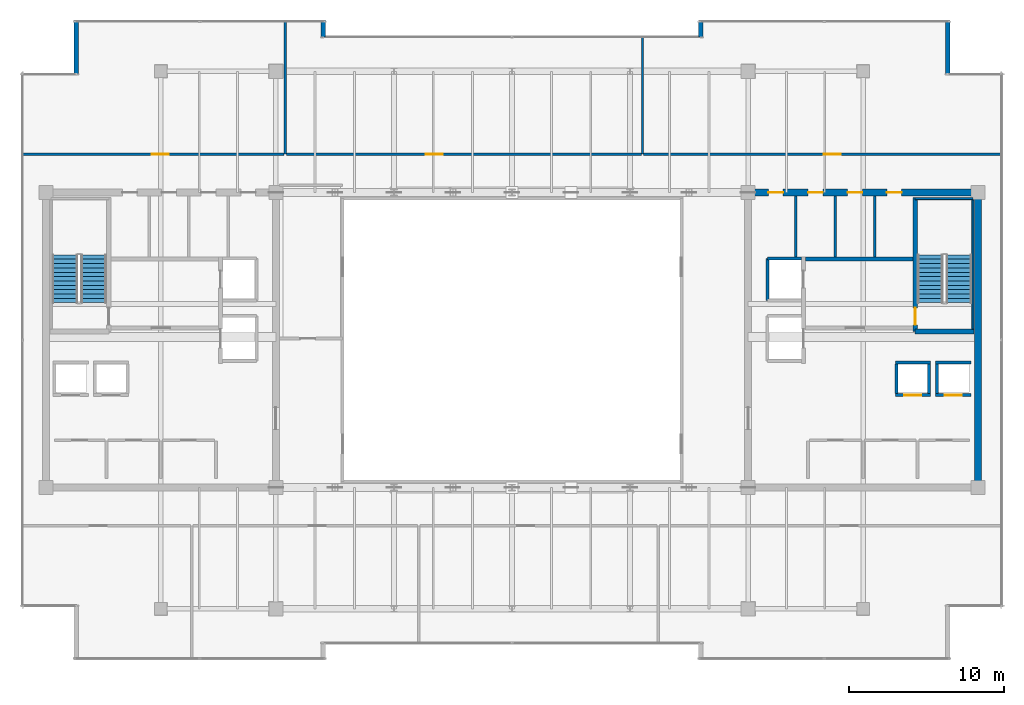
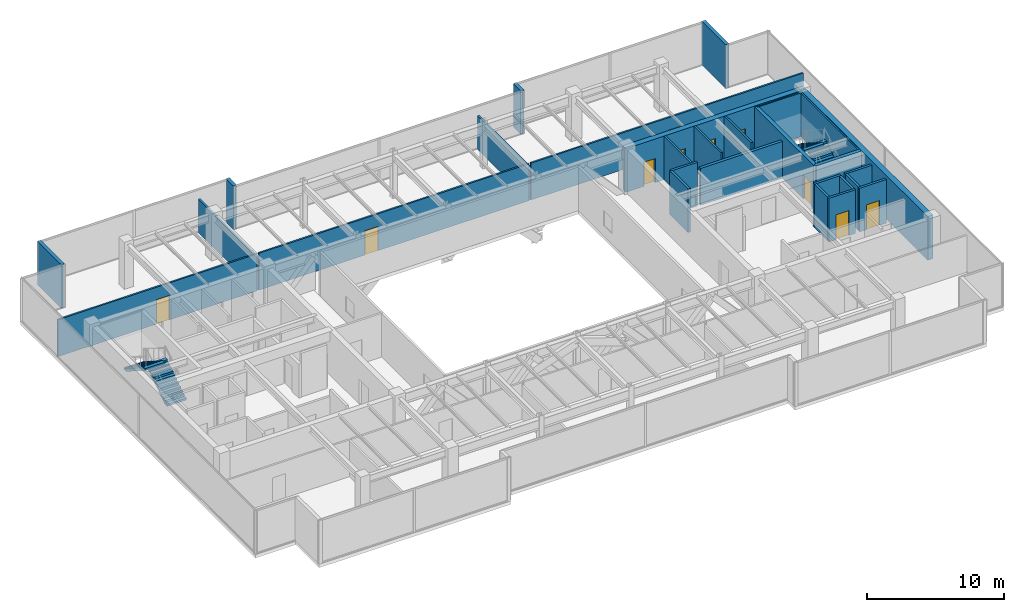
# One storey, part 28 of 32: 28 walls, 10 doors, 4 stair flights, 10 openings, 2 elements without a shape of their own.
"""IFC4 building model written with IfcOpenShell, lengths in metres."""

import ifcopenshell
import ifcopenshell.guid

model = None  # the IFC model being written
_history = None  # IfcOwnerHistory: only IFC2X3 demands one
_inside = {}  # id of a spatial element -> (the spatial element, [elements in it])
_under = {}  # id of a project, library or spatial element -> (it, [spatial elements below it])
_declared = {}  # id of a project -> (the project, [libraries it declares])
_typed = {}  # id of a type object -> (the type object, [elements of that type])
_made_of = {}  # id of a material, layer set ... -> (it, [elements and type objects made of it])


def new_model(schema):
    """Start an empty IFC model of exactly this schema.

    Asked for "IFC4X3", IfcOpenShell would pick the latest addendum, in which some entities
    have other attributes; the version numbers below select the first issue.
    IFC2X3 requires an IfcOwnerHistory on every rooted entity: one is made here for all.
    """
    global model, _history
    if schema == "IFC4X3":
        model = ifcopenshell.file(schema_version=(4, 3, 0, 0))
    else:
        model = ifcopenshell.file(schema=schema)
    _inside.clear()
    _under.clear()
    _declared.clear()
    _typed.clear()
    _made_of.clear()
    _history = None
    if model.schema == "IFC2X3":
        org = make("IfcOrganization", Name="unknown")
        user = make(
            "IfcPersonAndOrganization",
            ThePerson=make("IfcPerson", FamilyName="unknown"),
            TheOrganization=org,
        )
        app = make(
            "IfcApplication",
            ApplicationDeveloper=org,
            Version="unknown",
            ApplicationFullName="unknown",
            ApplicationIdentifier="unknown",
        )
        _history = make(
            "IfcOwnerHistory",
            OwningUser=user,
            OwningApplication=app,
            ChangeAction="ADDED",
            CreationDate=0,
        )
    return model


def make(cls, **values):
    """One entity of the class cls with the attributes given. An attribute that is None is left unset."""
    return model.create_entity(
        cls, **{name: value for name, value in values.items() if value is not None}
    )


def rooted(cls, **values):
    """An entity with a GlobalId (a new one), such as an element, a storey or a relation."""
    return make(cls, GlobalId=ifcopenshell.guid.new(), OwnerHistory=_history, **values)


def si_unit(unit_type, name, prefix=None):
    """IfcSIUnit, for example si_unit("LENGTHUNIT", "METRE", prefix="MILLI")."""
    return make("IfcSIUnit", UnitType=unit_type, Prefix=prefix, Name=name)


def assignment(units):
    """IfcUnitAssignment: the units of a project."""
    return None if units is None else make("IfcUnitAssignment", Units=units)


def point(xyz):
    """IfcCartesianPoint."""
    return None if xyz is None else make("IfcCartesianPoint", Coordinates=xyz)


def direction(xyz):
    """IfcDirection."""
    return None if xyz is None else make("IfcDirection", DirectionRatios=xyz)


def frame(location, z_axis=None, x_axis=None):
    """IfcAxis2Placement3D, a coordinate frame: its origin and axes. An axis left out is left unset."""
    return make(
        "IfcAxis2Placement3D",
        Location=point(location),
        Axis=direction(z_axis),
        RefDirection=direction(x_axis),
    )


def frame_2d(location, x_axis=None):
    """IfcAxis2Placement2D, a coordinate frame in the plane: its origin and x axis."""
    return make(
        "IfcAxis2Placement2D", Location=point(location), RefDirection=direction(x_axis)
    )


def origin():
    """The frame at (0, 0, 0) with its axes left unset."""
    return frame((0.0, 0.0, 0.0))


def place(relative_to, where):
    """IfcLocalPlacement: puts the frame where relative to a parent placement (None: the world)."""
    return make(
        "IfcLocalPlacement", PlacementRelTo=relative_to, RelativePlacement=where
    )


def context(
    kind, dimensions, precision=None, world=None, true_north=None, identifier=None
):
    """IfcGeometricRepresentationContext, for example the 3D "Model" context."""
    return make(
        "IfcGeometricRepresentationContext",
        ContextIdentifier=identifier,
        ContextType=kind,
        CoordinateSpaceDimension=dimensions,
        Precision=precision,
        WorldCoordinateSystem=world,
        TrueNorth=true_north,
    )


def subcontext(parent, identifier, kind, view, scale=None):
    """IfcGeometricRepresentationSubContext, for example "Body" below "Model"."""
    return make(
        "IfcGeometricRepresentationSubContext",
        ContextIdentifier=identifier,
        ContextType=kind,
        ParentContext=parent,
        TargetScale=scale,
        TargetView=view,
    )


def project(units=None, contexts=None):
    """IfcProject with its units and contexts."""
    return rooted(
        "IfcProject",
        Name="project",
        RepresentationContexts=contexts,
        UnitsInContext=assignment(units),
    )


def spatial(cls, under=None, at=None, **own):
    """A site, building, storey or space (cls), placed at a placement, below another one or the project."""
    s = rooted(cls, ObjectPlacement=at, **own)
    if under is not None:
        _under.setdefault(under.id(), (under, []))[1].append(s)
    return s


def polyline(points):
    """IfcPolyline through the points."""
    return make("IfcPolyline", Points=[point(p) for p in points])


def profile(cls, at=None, kind="AREA", **sizes):
    """A parametric profile (cls). Its sizes go by their IFC names, for example OverallWidth=200.0."""
    return make(cls, ProfileType=kind, Position=at, **sizes)


def rectangle(**sizes):
    """IfcRectangleProfileDef."""
    return profile("IfcRectangleProfileDef", **sizes)


def outline(outer, holes=None, kind="AREA"):
    """IfcArbitraryClosedProfileDef: a profile drawn as a closed curve; with holes, ...WithVoids."""
    if holes is None:
        return make("IfcArbitraryClosedProfileDef", ProfileType=kind, OuterCurve=outer)
    return make(
        "IfcArbitraryProfileDefWithVoids",
        ProfileType=kind,
        OuterCurve=outer,
        InnerCurves=holes,
    )


def extrude(swept, where, along, depth):
    """IfcExtrudedAreaSolid: the profile swept, set in the frame where, extruded along a direction by depth."""
    return make(
        "IfcExtrudedAreaSolid",
        SweptArea=swept,
        Position=where,
        ExtrudedDirection=direction(along),
        Depth=depth,
    )


def shape(context_of_items, identifier, shape_type, items):
    """IfcShapeRepresentation: the items that make up one representation, for example the "Body"."""
    return make(
        "IfcShapeRepresentation",
        ContextOfItems=context_of_items,
        RepresentationIdentifier=identifier,
        RepresentationType=shape_type,
        Items=items,
    )


def source(mapping_origin, context_of_items, identifier, shape_type, items):
    """IfcRepresentationMap: a shape defined once, which mapped items show again and again."""
    return make(
        "IfcRepresentationMap",
        MappingOrigin=mapping_origin,
        MappedRepresentation=shape(context_of_items, identifier, shape_type, items),
    )


def transform(
    local_origin,
    x_axis=None,
    y_axis=None,
    z_axis=None,
    scale=None,
    scale2=None,
    scale3=None,
    uniform=True,
):
    """IfcCartesianTransformationOperator3D, or its non-uniform kind. x_axis, y_axis, z_axis: its Axis1, 2, 3."""
    if uniform:
        return make(
            "IfcCartesianTransformationOperator3D",
            Axis1=direction(x_axis),
            Axis2=direction(y_axis),
            LocalOrigin=point(local_origin),
            Scale=scale,
            Axis3=direction(z_axis),
        )
    return make(
        "IfcCartesianTransformationOperator3DnonUniform",
        Axis1=direction(x_axis),
        Axis2=direction(y_axis),
        LocalOrigin=point(local_origin),
        Scale=scale,
        Axis3=direction(z_axis),
        Scale2=scale2,
        Scale3=scale3,
    )


def mapped(mapping_source, mapping_target):
    """IfcMappedItem: shows the shape of a source again, moved by a transform."""
    return make(
        "IfcMappedItem", MappingSource=mapping_source, MappingTarget=mapping_target
    )


def material(Name=None, Category=None):
    """IfcMaterial."""
    return make("IfcMaterial", Name=Name, Category=Category)


def layer(
    of_material, thickness, ventilated=None, Name=None, Category=None, Priority=None
):
    """IfcMaterialLayer: one layer of a wall or slab, of a material (None: an air gap)."""
    return make(
        "IfcMaterialLayer",
        Material=of_material,
        LayerThickness=thickness,
        IsVentilated=ventilated,
        Name=Name,
        Category=Category,
        Priority=Priority,
    )


def layer_set(layers, Name=None):
    """IfcMaterialLayerSet."""
    return make("IfcMaterialLayerSet", MaterialLayers=layers, LayerSetName=Name)


def made_of(thing, what):
    """Note that an element or type object is made of a material, layer set ...; save() writes the relation."""
    if what is not None:
        _made_of.setdefault(what.id(), (what, []))[1].append(thing)
    return thing


def type_object(cls, material=None, **own):
    """A type object (cls), such as IfcWallType, which elements share."""
    return made_of(rooted(cls, **own), material)


def type_shapes(of_type, sources):
    """Give a type object the sources (RepresentationMaps) that its elements show as mapped items."""
    of_type.RepresentationMaps = sources


def element(
    cls,
    number,
    at=None,
    inside=None,
    cuts=None,
    type_object=None,
    material=None,
    context=None,
    identifier="Body",
    shape_type=None,
    held_by="IfcProductDefinitionShape",
    body=None,
    shapes=None,
    **own,
):
    """One element of the class cls, such as IfcWall. Its Tag is "e" and its number.

    at: its placement. inside: the storey or other place that contains it. cuts: it is an
    opening in that element (IfcRelVoidsElement). A single representation is given by context,
    identifier, shape_type and body (its items); several are given by shapes. held_by: the class
    of the entity that holds the representations. save() writes the other relations.
    """
    e = rooted(cls, Tag="e%d" % number, ObjectPlacement=at, **own)
    if body is not None:
        shapes = [shape(context, identifier, shape_type, body)]
    if shapes is not None:
        e.Representation = make(held_by, Representations=shapes)
    if inside is not None:
        _inside.setdefault(inside.id(), (inside, []))[1].append(e)
    if cuts is not None:
        rooted(
            "IfcRelVoidsElement", RelatingBuildingElement=cuts, RelatedOpeningElement=e
        )
    if type_object is not None:
        _typed.setdefault(type_object.id(), (type_object, []))[1].append(e)
    return made_of(e, material)


def fill(opening, filler):
    """IfcRelFillsElement: the door or window that sits in an opening."""
    return rooted(
        "IfcRelFillsElement",
        RelatingOpeningElement=opening,
        RelatedBuildingElement=filler,
    )


def aggregate(whole, parts):
    """IfcRelAggregates: a whole, such as a stair, and the parts it consists of."""
    return rooted("IfcRelAggregates", RelatingObject=whole, RelatedObjects=parts)


def save(model, path):
    """Write the relations noted so far, then the file.

    IfcRelAggregates (storeys below a building ...), IfcRelContainedInSpatialStructure (elements
    in a storey), IfcRelDefinesByType, IfcRelAssociatesMaterial and IfcRelDeclares: one each for
    every whole, place, type object, material and project.
    """
    for whole, parts in _under.values():
        aggregate(whole, parts)
    for where, things in _inside.values():
        rooted(
            "IfcRelContainedInSpatialStructure",
            RelatedElements=things,
            RelatingStructure=where,
        )
    for kind, things in _typed.values():
        rooted("IfcRelDefinesByType", RelatedObjects=things, RelatingType=kind)
    for what, things in _made_of.values():
        rooted("IfcRelAssociatesMaterial", RelatedObjects=things, RelatingMaterial=what)
    for by, libraries in _declared.values():
        rooted("IfcRelDeclares", RelatingContext=by, RelatedDefinitions=libraries)
    model.write(path)


model = new_model("IFC4")

# Units and contexts
model_context = context("Model", 3, precision=1e-05, world=origin(), true_north=direction((0.0, 1.0)))
body_context = subcontext(model_context, "Body", "Model", "MODEL_VIEW")
ifc_project = project(units=[si_unit("LENGTHUNIT", "METRE"), si_unit("AREAUNIT", "SQUARE_METRE"), si_unit("VOLUMEUNIT", "CUBIC_METRE"), si_unit("PLANEANGLEUNIT", "RADIAN"), si_unit("MASSUNIT", "GRAM", prefix="KILO")], contexts=[model_context])

# Site, building, storey
site_placement = place(None, origin())
site = spatial("IfcSite", under=ifc_project, at=site_placement, CompositionType="ELEMENT")
building_placement = place(site_placement, origin())
building = spatial("IfcBuilding", under=site, at=building_placement, Name="Haelvirn Gate Laboratories", CompositionType="ELEMENT")
storey_placement = place(building_placement, frame((0.0, 0.0, 314.39990234375)))
storey = spatial("IfcBuildingStorey", under=building, at=storey_placement, Name="L75", CompositionType="ELEMENT", Elevation=314.39990234375)

# Walls
ifc_material_1 = material(Name="Thermally-broken bronze aluminium rainscreen & mineral wool", Category="aluminium")
ifc_layer_1 = layer(ifc_material_1, 0.280029296875, Name="EW-TERR-280")
ifc_layer_set_1 = layer_set([ifc_layer_1], Name="Thermally-broken bronze aluminium rainscreen & mineral wool")
wall_type_1 = type_object("IfcWallType", Name="EW-TERR-280", PredefinedType="STANDARD", material=ifc_layer_set_1)
wall_1_placement = place(storey_placement, frame((65.4599609375, 41.412109375, 0.0), z_axis=(0.0, 0.0, 1.0), x_axis=(0.0, 1.0, 0.0)))
element("IfcWall", 1, at=wall_1_placement, inside=storey, type_object=wall_type_1, Name="L75 Atrium Recess Bronze Return Wall 09", PredefinedType="STANDARD", context=body_context, shape_type="SweptSolid", body=[
    extrude(rectangle(XDim=3.48779296875, YDim=0.280029296875, at=frame_2d((1.743896484375, 0.0))), origin(), (0.0, 0.0, 1.0), 3.900146484375),
])
for number, where, z_axis, x_axis, name in (
    (2, (49.5400390625, 44.89990234375, 0.0), (0.0, 0.0, 1.0), (0.0, -1.0, 0.0), "L75 Atrium Recess Bronze Return Wall 11"),
    (3, (25.260009765625, 43.806884765625, 0.0), (0.0, 0.0, 1.0), (0.0, 1.0, 0.0), "L75 Atrium Recess Bronze Return Wall 13"),
):
    element("IfcWall", number, at=place(storey_placement, frame(where, z_axis=z_axis, x_axis=x_axis)), inside=storey, type_object=wall_type_1, Name=name, PredefinedType="STANDARD", context=body_context, shape_type="SweptSolid", body=[
        extrude(rectangle(XDim=1.093017578125, YDim=0.280029296875, at=frame_2d((0.54638671875, 0.0))), origin(), (0.0, 0.0, 1.0), 3.900146484375),
    ])
wall_2_placement = place(storey_placement, frame((9.340087890625, 44.89990234375, 0.0), z_axis=(0.0, 0.0, 1.0), x_axis=(0.0, -1.0, 0.0)))
element("IfcWall", 4, at=wall_2_placement, inside=storey, type_object=wall_type_1, Name="L75 Atrium Recess Bronze Return Wall 15", PredefinedType="STANDARD", context=body_context, shape_type="SweptSolid", body=[
    extrude(rectangle(XDim=3.48779296875, YDim=0.280029296875, at=frame_2d((1.743896484375, 0.0))), origin(), (0.0, 0.0, 1.0), 3.900146484375),
])
ifc_material_2 = material(Name="Double-layer acoustic gypsum laboratory partition", Category="gypsum")
ifc_layer_2 = layer(ifc_material_2, 0.159912109375, Name="IW-ACOUST-160")
ifc_layer_set_2 = layer_set([ifc_layer_2], Name="Double-layer acoustic gypsum laboratory partition")
wall_type_2 = type_object("IfcWallType", Name="IW-ACOUST-160", PredefinedType="PARTITIONING", material=ifc_layer_set_2)
wall_3_placement = place(storey_placement, frame((22.800048828125, 36.260009765625, 0.0), z_axis=(0.0, 0.0, 1.0), x_axis=(0.0, 1.0, 0.0)))
element("IfcWall", 5, at=wall_3_placement, inside=storey, type_object=wall_type_2, Name="L75 Interior Wall IW-L75-NDIV-01", PredefinedType="PARTITIONING", context=body_context, shape_type="SweptSolid", body=[
    extrude(rectangle(XDim=8.530029296875, YDim=0.159912109375, at=frame_2d((4.26513671875, 0.0))), origin(), (0.0, 0.0, 1.0), 2.985107421875),
])
wall_4_placement = place(storey_placement, frame((45.800048828125, 36.260009765625, 0.0), z_axis=(0.0, 0.0, 1.0), x_axis=(0.0, 1.0, 0.0)))
element("IfcWall", 6, at=wall_4_placement, inside=storey, type_object=wall_type_2, Name="L75 Interior Wall IW-L75-NDIV-02", PredefinedType="PARTITIONING", context=body_context, shape_type="SweptSolid", body=[
    extrude(rectangle(XDim=7.530029296875, YDim=0.159912109375, at=frame_2d((3.76513671875, 0.0))), origin(), (0.0, 0.0, 1.0), 2.985107421875),
])

# Wall, opening, door
ifc_material_3 = material(Name="Acoustic mineral-wool gypsum board partition", Category="gypsum")
ifc_layer_3 = layer(ifc_material_3, 0.139892578125, Name="IW-PART-140")
ifc_layer_set_3 = layer_set([ifc_layer_3], Name="Acoustic mineral-wool gypsum board partition")
wall_type_3 = type_object("IfcWallType", Name="IW-PART-140", PredefinedType="PARTITIONING", material=ifc_layer_set_3)
wall_5_placement = place(storey_placement, frame((5.909912109375, 36.260009765625, 0.0), z_axis=(0.0, 0.0, 1.0), x_axis=(1.0, 0.0, 0.0)))
wall_5 = element("IfcWall", 7, at=wall_5_placement, inside=storey, type_object=wall_type_3, Name="L75 Interior Wall IW-L75-NCORR-01", PredefinedType="PARTITIONING", context=body_context, shape_type="SweptSolid", body=[
    extrude(rectangle(XDim=16.81005859375, YDim=0.139892578125, at=frame_2d((8.405029296875, 0.0))), origin(), (0.0, 0.0, 1.0), 3.297119140625),
])
opening_1_placement = place(wall_5_placement, frame((8.305419921875, 0.0, 0.0)))
opening_1 = element("IfcOpeningElement", 8, at=opening_1_placement, cuts=wall_5, Name="Opening D1", PredefinedType="OPENING", context=body_context, shape_type="SweptSolid", body=[
    extrude(rectangle(XDim=1.10009765625, YDim=2.179931640625, at=frame_2d((0.550048828125, 1.08984375))), frame((0.0, 0.080078125, 0.0), z_axis=(0.0, -1.0, 0.0), x_axis=(1.0, 0.0, 0.0)), (0.0, 0.0, 1.0), 0.159912109375),
])
ifc_material_4 = material(Name="Vision-panel acoustic solid-core timber lab door", Category="wood")
door_type_1 = type_object("IfcDoorType", Name="DR-LAB-1100", OperationType="NOTDEFINED", PredefinedType="DOOR", material=ifc_material_4)
shared_shape_1 = source(origin(), body_context, "Body", "SweptSolid", [
    extrude(rectangle(XDim=1.10009765625, YDim=2.179931640625, at=frame_2d((0.550048828125, 1.08984375))), frame((0.0, 0.02490234375, 0.0), z_axis=(0.0, -1.0, 0.0), x_axis=(1.0, 0.0, 0.0)), (0.0, 0.0, 1.0), 0.050048828125),
])
type_shapes(door_type_1, [shared_shape_1])
door_1_placement = place(opening_1_placement, origin())
door_1 = element("IfcDoor", 9, at=door_1_placement, inside=storey, type_object=door_type_1, Name="L75 Peer-Review Seminar Room Door N1", OperationType="SINGLE_SWING_LEFT", OverallHeight=2.179931640625, OverallWidth=1.10009765625, PredefinedType="DOOR", context=body_context, shape_type="MappedRepresentation", body=[
    mapped(shared_shape_1, transform((0.0, 0.0, 0.0), scale=1.0)),
])
fill(opening_1, door_1)

wall_6_placement = place(storey_placement, frame((22.8798828125, 36.260009765625, 0.0), z_axis=(0.0, 0.0, 1.0), x_axis=(1.0, 0.0, 0.0)))
wall_6 = element("IfcWall", 10, at=wall_6_placement, inside=storey, type_object=wall_type_3, Name="L75 Interior Wall IW-L75-NCORR-02", PredefinedType="PARTITIONING", context=body_context, shape_type="SweptSolid", body=[
    extrude(rectangle(XDim=22.840087890625, YDim=0.139892578125, at=frame_2d((11.419921875, 0.0))), origin(), (0.0, 0.0, 1.0), 3.297119140625),
])
opening_2_placement = place(wall_6_placement, frame((8.976318359375, 0.0, 0.0)))
opening_2 = element("IfcOpeningElement", 11, at=opening_2_placement, cuts=wall_6, Name="Opening D1", PredefinedType="OPENING", context=body_context, shape_type="SweptSolid", body=[
    extrude(rectangle(XDim=1.10009765625, YDim=2.179931640625, at=frame_2d((0.550048828125, 1.08984375))), frame((0.0, 0.080078125, 0.0), z_axis=(0.0, -1.0, 0.0), x_axis=(1.0, 0.0, 0.0)), (0.0, 0.0, 1.0), 0.159912109375),
])
door_2_placement = place(opening_2_placement, origin())
door_2 = element("IfcDoor", 12, at=door_2_placement, inside=storey, type_object=door_type_1, Name="L75 Colloquium Conference Room Door N2", OperationType="SINGLE_SWING_RIGHT", OverallHeight=2.179931640625, OverallWidth=1.10009765625, PredefinedType="DOOR", context=body_context, shape_type="MappedRepresentation", body=[
    mapped(shared_shape_1, transform((0.0, 0.0, 0.0), scale=1.0)),
])
fill(opening_2, door_2)

wall_7_placement = place(storey_placement, frame((45.8798828125, 36.260009765625, 0.0), z_axis=(0.0, 0.0, 1.0), x_axis=(1.0, 0.0, 0.0)))
wall_7 = element("IfcWall", 13, at=wall_7_placement, inside=storey, type_object=wall_type_3, Name="L75 Interior Wall IW-L75-NCORR-03", PredefinedType="PARTITIONING", context=body_context, shape_type="SweptSolid", body=[
    extrude(rectangle(XDim=23.010009765625, YDim=0.139892578125, at=frame_2d((11.5048828125, 0.0))), origin(), (0.0, 0.0, 1.0), 3.297119140625),
])
opening_3_placement = place(wall_7_placement, frame((11.59130859375, 0.0, 0.0)))
opening_3 = element("IfcOpeningElement", 14, at=opening_3_placement, cuts=wall_7, Name="Opening D1", PredefinedType="OPENING", context=body_context, shape_type="SweptSolid", body=[
    extrude(rectangle(XDim=1.10009765625, YDim=2.179931640625, at=frame_2d((0.550048828125, 1.08984375))), frame((0.0, 0.080078125, 0.0), z_axis=(0.0, -1.0, 0.0), x_axis=(1.0, 0.0, 0.0)), (0.0, 0.0, 1.0), 0.159912109375),
])
door_3_placement = place(opening_3_placement, origin())
door_3 = element("IfcDoor", 15, at=door_3_placement, inside=storey, type_object=door_type_1, Name="L75 Scientific Reference Library Door N3", OperationType="SINGLE_SWING_LEFT", OverallHeight=2.179931640625, OverallWidth=1.10009765625, PredefinedType="DOOR", context=body_context, shape_type="MappedRepresentation", body=[
    mapped(shared_shape_1, transform((0.0, 0.0, 0.0), scale=1.0)),
])
fill(opening_3, door_3)

# Walls
ifc_material_5 = material(Name="Cement-board restroom plumbing chase wall", Category="gypsum")
ifc_layer_4 = layer(ifc_material_5, 0.155029296875, Name="IW-PLUMB-160")
ifc_layer_set_4 = layer_set([ifc_layer_4], Name="Cement-board restroom plumbing chase wall")
wall_type_4 = type_object("IfcWallType", Name="IW-PLUMB-160", PredefinedType="PLUMBINGWALL", material=ifc_layer_set_4)
for number, where, z_axis, x_axis, name in (
    (16, (60.760009765625, 29.64990234375, 0.0), (0.0, 0.0, 1.0), (0.0, 1.0, 0.0), "L75 Interior Wall IW-L75-E-CDIV-1"),
    (17, (58.2099609375, 29.64990234375, 0.0), (0.0, 0.0, 1.0), (0.0, 1.0, 0.0), "L75 Interior Wall IW-L75-E-CDIV-2"),
    (18, (55.659912109375, 29.64990234375, 0.0), (0.0, 0.0, 1.0), (0.0, 1.0, 0.0), "L75 Interior Wall IW-L75-E-CDIV-3"),
):
    element("IfcWall", number, at=place(storey_placement, frame(where, z_axis=z_axis, x_axis=x_axis)), inside=storey, type_object=wall_type_4, Name=name, PredefinedType="PLUMBINGWALL", context=body_context, shape_type="SweptSolid", body=[
        extrude(rectangle(XDim=3.93017578125, YDim=0.155029296875, at=frame_2d((1.965087890625, 0.0))), origin(), (0.0, 0.0, 1.0), 3.900146484375),
    ])
ifc_material_6 = material(Name="Concrete C40/50", Category="concrete")
ifc_layer_5 = layer(ifc_material_6, 0.179931640625, Name="IW-SHAFT-180")
ifc_layer_set_5 = layer_set([ifc_layer_5], Name="Concrete C40/50")
wall_type_5 = type_object("IfcWallType", Name="IW-SHAFT-180", PredefinedType="SOLIDWALL", material=ifc_layer_set_5)
for number, where, z_axis, x_axis, name in (
    (19, (64.75, 20.85009765625, 0.0), (0.0, 0.0, 1.0), (0.0, 1.0, 0.0), "L75 Interior Wall IW-L75-PL11-SD"),
    (20, (62.14990234375, 20.85009765625, 0.0), (0.0, 0.0, 1.0), (0.0, 1.0, 0.0), "L75 Interior Wall IW-L75-PL12-SD"),
    (21, (64.25, 20.85009765625, 0.0), (0.0, 0.0, 1.0), (0.0, 1.0, 0.0), "L75 Interior Wall IW-L75-PL12-SDE"),
):
    element("IfcWall", number, at=place(storey_placement, frame(where, z_axis=z_axis, x_axis=x_axis)), inside=storey, type_object=wall_type_5, Name=name, PredefinedType="SOLIDWALL", context=body_context, shape_type="SweptSolid", body=[
        extrude(rectangle(XDim=1.89990234375, YDim=0.179931640625, at=frame_2d((0.949951171875, 0.0))), origin(), (0.0, 0.0, 1.0), 3.900146484375),
    ])

# Wall, opening, door
ifc_layer_6 = layer(ifc_material_6, 0.199951171875, Name="IW-SHAFT-200")
ifc_layer_set_6 = layer_set([ifc_layer_6], Name="Concrete C40/50")
wall_type_6 = type_object("IfcWallType", Name="IW-SHAFT-200", PredefinedType="SOLIDWALL", material=ifc_layer_set_6)
wall_8_placement = place(storey_placement, frame((64.669921875, 20.75, 0.0), z_axis=(0.0, 0.0, 1.0), x_axis=(1.0, 0.0, 0.0)))
wall_8 = element("IfcWall", 22, at=wall_8_placement, inside=storey, type_object=wall_type_6, Name="L75 Interior Wall IW-L75-PL11-FR", PredefinedType="SOLIDWALL", context=body_context, shape_type="SweptSolid", body=[
    extrude(rectangle(XDim=2.260009765625, YDim=0.199951171875, at=frame_2d((1.1298828125, 0.0))), origin(), (0.0, 0.0, 1.0), 3.900146484375),
])
opening_4_placement = place(wall_8_placement, frame((0.580078125, 0.0, 0.0)))
opening_4 = element("IfcOpeningElement", 23, at=opening_4_placement, cuts=wall_8, Name="Opening LD2", PredefinedType="OPENING", context=body_context, shape_type="SweptSolid", body=[
    extrude(rectangle(XDim=1.10009765625, YDim=2.219970703125, at=frame_2d((0.550048828125, 1.10986328125))), frame((0.0, 0.10986328125, 0.0), z_axis=(0.0, -1.0, 0.0), x_axis=(1.0, 0.0, 0.0)), (0.0, 0.0, 1.0), 0.219970703125),
])
ifc_material_7 = material(Name="Bronze stainless 316L sliding lift landing door")
door_type_2 = type_object("IfcDoorType", Name="DR-LD-1100", OperationType="NOTDEFINED", PredefinedType="USERDEFINED", material=ifc_material_7)
shared_shape_2 = source(origin(), body_context, "Body", "SweptSolid", [
    extrude(rectangle(XDim=1.10009765625, YDim=2.219970703125, at=frame_2d((0.550048828125, 1.10986328125))), frame((0.0, 0.02490234375, 0.0), z_axis=(0.0, -1.0, 0.0), x_axis=(1.0, 0.0, 0.0)), (0.0, 0.0, 1.0), 0.050048828125),
])
type_shapes(door_type_2, [shared_shape_2])
door_4_placement = place(opening_4_placement, origin())
door_4 = element("IfcDoor", 24, at=door_4_placement, inside=storey, type_object=door_type_2, Name="L75 Passenger Lift PL11 Landing Door", ObjectType="LANDING_DOOR", OperationType="SLIDING_TO_LEFT", OverallHeight=2.219970703125, OverallWidth=1.10009765625, PredefinedType="USERDEFINED", context=body_context, shape_type="MappedRepresentation", body=[
    mapped(shared_shape_2, transform((0.0, 0.0, 0.0), scale=1.0)),
])
fill(opening_4, door_4)

# Wall
wall_9_placement = place(storey_placement, frame((64.669921875, 22.85009765625, 0.0), z_axis=(0.0, 0.0, 1.0), x_axis=(1.0, 0.0, 0.0)))
element("IfcWall", 25, at=wall_9_placement, inside=storey, type_object=wall_type_6, Name="L75 Interior Wall IW-L75-PL11-BK", PredefinedType="SOLIDWALL", context=body_context, shape_type="SweptSolid", body=[
    extrude(rectangle(XDim=2.260009765625, YDim=0.199951171875, at=frame_2d((1.1298828125, 0.0))), origin(), (0.0, 0.0, 1.0), 3.900146484375),
])

# Wall, opening, door
wall_10_placement = place(storey_placement, frame((62.070068359375, 20.75, 0.0), z_axis=(0.0, 0.0, 1.0), x_axis=(1.0, 0.0, 0.0)))
wall_10 = element("IfcWall", 26, at=wall_10_placement, inside=storey, type_object=wall_type_6, Name="L75 Interior Wall IW-L75-PL12-FR", PredefinedType="SOLIDWALL", context=body_context, shape_type="SweptSolid", body=[
    extrude(rectangle(XDim=2.260009765625, YDim=0.199951171875, at=frame_2d((1.1298828125, 0.0))), origin(), (0.0, 0.0, 1.0), 3.900146484375),
])
opening_5_placement = place(wall_10_placement, frame((0.580078125, 0.0, 0.0)))
opening_5 = element("IfcOpeningElement", 27, at=opening_5_placement, cuts=wall_10, Name="Opening LD2", PredefinedType="OPENING", context=body_context, shape_type="SweptSolid", body=[
    extrude(rectangle(XDim=1.10009765625, YDim=2.219970703125, at=frame_2d((0.550048828125, 1.10986328125))), frame((0.0, 0.10986328125, 0.0), z_axis=(0.0, -1.0, 0.0), x_axis=(1.0, 0.0, 0.0)), (0.0, 0.0, 1.0), 0.219970703125),
])
door_5_placement = place(opening_5_placement, origin())
door_5 = element("IfcDoor", 28, at=door_5_placement, inside=storey, type_object=door_type_2, Name="L75 Passenger Lift PL12 Landing Door", ObjectType="LANDING_DOOR", OperationType="SLIDING_TO_RIGHT", OverallHeight=2.219970703125, OverallWidth=1.10009765625, PredefinedType="USERDEFINED", context=body_context, shape_type="MappedRepresentation", body=[
    mapped(shared_shape_2, transform((0.0, 0.0, 0.0), scale=1.0)),
])
fill(opening_5, door_5)

# Walls
wall_11_placement = place(storey_placement, frame((62.070068359375, 22.85009765625, 0.0), z_axis=(0.0, 0.0, 1.0), x_axis=(1.0, 0.0, 0.0)))
element("IfcWall", 29, at=wall_11_placement, inside=storey, type_object=wall_type_6, Name="L75 Interior Wall IW-L75-PL12-BK", PredefinedType="SOLIDWALL", context=body_context, shape_type="SweptSolid", body=[
    extrude(rectangle(XDim=2.260009765625, YDim=0.199951171875, at=frame_2d((1.1298828125, 0.0))), origin(), (0.0, 0.0, 1.0), 3.900146484375),
])
wall_12_placement = place(storey_placement, frame((53.85009765625, 26.85009765625, 0.0), z_axis=(0.0, 0.0, 1.0), x_axis=(0.0, 1.0, 0.0)))
element("IfcWall", 30, at=wall_12_placement, inside=storey, type_object=wall_type_6, Name="L75 Interior Wall IW-L75-FL2-BK", PredefinedType="SOLIDWALL", context=body_context, shape_type="SweptSolid", body=[
    extrude(rectangle(XDim=2.699951171875, YDim=0.199951171875, at=frame_2d((1.35009765625, 0.0))), origin(), (0.0, 0.0, 1.0), 3.900146484375),
])
wall_13_placement = place(storey_placement, frame((53.85009765625, 29.550048828125, 0.0), z_axis=(0.0, 0.0, 1.0), x_axis=(1.0, 0.0, 0.0)))
element("IfcWall", 31, at=wall_13_placement, inside=storey, type_object=wall_type_6, Name="L75 Interior Wall IW-L75-FL2-N", PredefinedType="SOLIDWALL", context=body_context, shape_type="SweptSolid", body=[
    extrude(rectangle(XDim=2.18994140625, YDim=0.199951171875, at=frame_2d((1.094970703125, 0.0))), origin(), (0.0, 0.0, 1.0), 3.900146484375),
])
ifc_layer_7 = layer(ifc_material_6, 0.239990234375, Name="IW-SHAFT-240")
ifc_layer_set_7 = layer_set([ifc_layer_7], Name="Concrete C40/50")
wall_type_7 = type_object("IfcWallType", Name="IW-SHAFT-240", PredefinedType="SOLIDWALL", material=ifc_layer_set_7)
wall_14_placement = place(storey_placement, frame((56.280029296875, 29.52001953125, 0.0), z_axis=(0.0, 0.0, 1.0), x_axis=(1.0, 0.0, 0.0)))
element("IfcWall", 32, at=wall_14_placement, inside=storey, type_object=wall_type_7, Name="L75 Interior Wall IW-L75-E-FF-N", PredefinedType="SOLIDWALL", context=body_context, shape_type="SweptSolid", body=[
    extrude(rectangle(XDim=6.919921875, YDim=0.239990234375, at=frame_2d((3.4599609375, 0.0))), origin(), (0.0, 0.0, 1.0), 3.297119140625),
])

# Wall, openings, doors
ifc_material_8 = material(Name="Concrete C50/60", Category="concrete")
ifc_layer_8 = layer(ifc_material_8, 0.449951171875, Name="SW-CORE-450")
ifc_layer_set_8 = layer_set([ifc_layer_8], Name="Concrete C50/60")
wall_type_8 = type_object("IfcWallType", Name="SW-CORE-450", PredefinedType="SHEAR", material=ifc_layer_set_8)
wall_15_placement = place(storey_placement, frame((52.375, 33.800048828125, 0.0), z_axis=(0.0, 0.0, 1.0), x_axis=(1.0, 0.0, 0.0)))
wall_15 = element("IfcWall", 33, at=wall_15_placement, inside=storey, type_object=wall_type_8, Name="L75 E Core Shear Wall N", PredefinedType="SHEAR", context=body_context, shape_type="SweptSolid", body=[
    extrude(rectangle(XDim=15.25, YDim=0.449951171875, at=frame_2d((7.625, 0.0))), origin(), (0.0, 0.0, 1.0), 3.900146484375),
])
opening_6_placement = place(wall_15_placement, frame((9.14990234375, 0.0, 0.0)))
opening_6 = element("IfcOpeningElement", 34, at=opening_6_placement, cuts=wall_15, Name="Opening FD4", PredefinedType="OPENING", context=body_context, shape_type="SweptSolid", body=[
    extrude(rectangle(XDim=0.949951171875, YDim=2.14990234375, at=frame_2d((0.47509765625, 1.074951171875))), frame((0.0, 0.23486328125, 0.0), z_axis=(0.0, -1.0, 0.0), x_axis=(1.0, 0.0, 0.0)), (0.0, 0.0, 1.0), 0.469970703125),
])
opening_7_placement = place(wall_15_placement, frame((6.635009765625, 0.0, 0.0)))
opening_7 = element("IfcOpeningElement", 35, at=opening_7_placement, cuts=wall_15, Name="Opening FD4", PredefinedType="OPENING", context=body_context, shape_type="SweptSolid", body=[
    extrude(rectangle(XDim=0.949951171875, YDim=2.14990234375, at=frame_2d((0.47509765625, 1.074951171875))), frame((0.0, 0.23486328125, 0.0), z_axis=(0.0, -1.0, 0.0), x_axis=(1.0, 0.0, 0.0)), (0.0, 0.0, 1.0), 0.469970703125),
])
opening_8_placement = place(wall_15_placement, frame((4.0849609375, 0.0, 0.0)))
opening_8 = element("IfcOpeningElement", 36, at=opening_8_placement, cuts=wall_15, Name="Opening FD4", PredefinedType="OPENING", context=body_context, shape_type="SweptSolid", body=[
    extrude(rectangle(XDim=0.949951171875, YDim=2.14990234375, at=frame_2d((0.47509765625, 1.074951171875))), frame((0.0, 0.23486328125, 0.0), z_axis=(0.0, -1.0, 0.0), x_axis=(1.0, 0.0, 0.0)), (0.0, 0.0, 1.0), 0.469970703125),
])
opening_9_placement = place(wall_15_placement, frame((1.534912109375, 0.0, 0.0)))
opening_9 = element("IfcOpeningElement", 37, at=opening_9_placement, cuts=wall_15, Name="Opening FD4", PredefinedType="OPENING", context=body_context, shape_type="SweptSolid", body=[
    extrude(rectangle(XDim=0.949951171875, YDim=2.14990234375, at=frame_2d((0.47509765625, 1.074951171875))), frame((0.0, 0.23486328125, 0.0), z_axis=(0.0, -1.0, 0.0), x_axis=(1.0, 0.0, 0.0)), (0.0, 0.0, 1.0), 0.469970703125),
])
ifc_material_9 = material(Name="Fire-rated steel SM355 core service door", Category="steel")
door_type_3 = type_object("IfcDoorType", Name="DR-FD-950", OperationType="NOTDEFINED", PredefinedType="DOOR", material=ifc_material_9)
shared_shape_3 = source(origin(), body_context, "Body", "SweptSolid", [
    extrude(rectangle(XDim=0.949951171875, YDim=2.14990234375, at=frame_2d((0.47509765625, 1.074951171875))), frame((0.0, 0.02490234375, 0.0), z_axis=(0.0, -1.0, 0.0), x_axis=(1.0, 0.0, 0.0)), (0.0, 0.0, 1.0), 0.050048828125),
])
type_shapes(door_type_3, [shared_shape_3])
door_6_placement = place(opening_6_placement, origin())
door_6 = element("IfcDoor", 38, at=door_6_placement, inside=storey, type_object=door_type_3, Name="L75 Male Restroom Fire Door", OperationType="SINGLE_SWING_RIGHT", OverallHeight=2.14990234375, OverallWidth=0.949951171875, PredefinedType="DOOR", context=body_context, shape_type="MappedRepresentation", body=[
    mapped(shared_shape_3, transform((0.0, 0.0, 0.0), scale=1.0)),
])
fill(opening_6, door_6)
door_7_placement = place(opening_7_placement, origin())
door_7 = element("IfcDoor", 39, at=door_7_placement, inside=storey, type_object=door_type_3, Name="L75 Female Restroom Fire Door", OperationType="SINGLE_SWING_LEFT", OverallHeight=2.14990234375, OverallWidth=0.949951171875, PredefinedType="DOOR", context=body_context, shape_type="MappedRepresentation", body=[
    mapped(shared_shape_3, transform((0.0, 0.0, 0.0), scale=1.0)),
])
fill(opening_7, door_7)
door_8_placement = place(opening_8_placement, origin())
door_8 = element("IfcDoor", 40, at=door_8_placement, inside=storey, type_object=door_type_3, Name="L75 Accessible Restroom Fire Door", OperationType="SINGLE_SWING_RIGHT", OverallHeight=2.14990234375, OverallWidth=0.949951171875, PredefinedType="DOOR", context=body_context, shape_type="MappedRepresentation", body=[
    mapped(shared_shape_3, transform((0.0, 0.0, 0.0), scale=1.0)),
])
fill(opening_8, door_8)
door_9_placement = place(opening_9_placement, origin())
door_9 = element("IfcDoor", 41, at=door_9_placement, inside=storey, type_object=door_type_3, Name="L75 Decontamination Shower Washroom Fire Door", OperationType="SINGLE_SWING_LEFT", OverallHeight=2.14990234375, OverallWidth=0.949951171875, PredefinedType="DOOR", context=body_context, shape_type="MappedRepresentation", body=[
    mapped(shared_shape_3, transform((0.0, 0.0, 0.0), scale=1.0)),
])
fill(opening_9, door_9)

# Walls
wall_16_placement = place(storey_placement, frame((67.39990234375, 15.02490234375, 0.0), z_axis=(0.0, 0.0, 1.0), x_axis=(0.0, 1.0, 0.0)))
element("IfcWall", 42, at=wall_16_placement, inside=storey, type_object=wall_type_8, Name="L75 E Core Shear Wall E", PredefinedType="SHEAR", context=body_context, shape_type="SweptSolid", body=[
    extrude(rectangle(XDim=18.550048828125, YDim=0.449951171875, at=frame_2d((9.27490234375, 0.0))), origin(), (0.0, 0.0, 1.0), 3.900146484375),
])
ifc_layer_9 = layer(ifc_material_8, 0.1201171875, Name="SW-LINER-120")
ifc_layer_set_9 = layer_set([ifc_layer_9], Name="Concrete C50/60")
wall_type_9 = type_object("IfcWallType", Name="SW-LINER-120", PredefinedType="SOLIDWALL", material=ifc_layer_set_9)
wall_17_placement = place(storey_placement, frame((63.35009765625, 33.39990234375, 0.0), z_axis=(0.0, 0.0, 1.0), x_axis=(1.0, 0.0, 0.0)))
element("IfcWall", 43, at=wall_17_placement, inside=storey, type_object=wall_type_9, Name="L75 E Core Stair Shaft Liner Wall N", PredefinedType="SOLIDWALL", context=body_context, shape_type="SweptSolid", body=[
    extrude(rectangle(XDim=3.719970703125, YDim=0.1201171875, at=frame_2d((1.85986328125, 0.0))), origin(), (0.0, 0.0, 1.0), 3.900146484375),
])
wall_18_placement = place(storey_placement, frame((67.070068359375, 25.0, 0.0), z_axis=(0.0, 0.0, 1.0), x_axis=(0.0, 1.0, 0.0)))
element("IfcWall", 44, at=wall_18_placement, inside=storey, type_object=wall_type_9, Name="L75 E Core Stair Shaft Liner Wall OUT", PredefinedType="SOLIDWALL", context=body_context, shape_type="SweptSolid", body=[
    extrude(rectangle(XDim=8.320068359375, YDim=0.1201171875, at=frame_2d((4.16015625, 0.0))), origin(), (0.0, 0.0, 1.0), 3.900146484375),
])

# Wall, opening, door
ifc_layer_10 = layer(ifc_material_8, 0.300048828125, Name="SW-STAIR-300")
ifc_layer_set_10 = layer_set([ifc_layer_10], Name="Concrete C50/60")
wall_type_10 = type_object("IfcWallType", Name="SW-STAIR-300", PredefinedType="SHEAR", material=ifc_layer_set_10)
wall_19_placement = place(storey_placement, frame((63.35009765625, 24.85009765625, 0.0), z_axis=(0.0, 0.0, 1.0), x_axis=(0.0, 1.0, 0.0)))
wall_19 = element("IfcWall", 45, at=wall_19_placement, inside=storey, type_object=wall_type_10, Name="L75 E Core Stair Shaft Structural Wall IN", PredefinedType="SHEAR", context=body_context, shape_type="SweptSolid", body=[
    extrude(rectangle(XDim=8.6298828125, YDim=0.300048828125, at=frame_2d((4.31494140625, 0.0))), origin(), (0.0, 0.0, 1.0), 3.900146484375),
])
opening_10_placement = place(wall_19_placement, frame((0.419921875, 0.0, 0.0)))
opening_10 = element("IfcOpeningElement", 46, at=opening_10_placement, cuts=wall_19, Name="Opening FD3", PredefinedType="OPENING", context=body_context, shape_type="SweptSolid", body=[
    extrude(rectangle(XDim=1.10009765625, YDim=2.14990234375, at=frame_2d((0.550048828125, 1.074951171875))), frame((0.0, 0.16015625, 0.0), z_axis=(0.0, -1.0, 0.0), x_axis=(1.0, 0.0, 0.0)), (0.0, 0.0, 1.0), 0.320068359375),
])
ifc_material_10 = material(Name="Fire-rated steel SM355 escape stair door", Category="steel")
door_type_4 = type_object("IfcDoorType", Name="DR-FD-1100", OperationType="NOTDEFINED", PredefinedType="DOOR", material=ifc_material_10)
shared_shape_4 = source(origin(), body_context, "Body", "SweptSolid", [
    extrude(rectangle(XDim=1.10009765625, YDim=2.14990234375, at=frame_2d((0.550048828125, 1.074951171875))), frame((0.0, 0.02490234375, 0.0), z_axis=(0.0, -1.0, 0.0), x_axis=(1.0, 0.0, 0.0)), (0.0, 0.0, 1.0), 0.050048828125),
])
type_shapes(door_type_4, [shared_shape_4])
door_10_placement = place(opening_10_placement, origin())
door_10 = element("IfcDoor", 47, at=door_10_placement, inside=storey, type_object=door_type_4, Name="L75 Escape Stair ST2 Fire Door", OperationType="SINGLE_SWING_RIGHT", OverallHeight=2.14990234375, OverallWidth=1.10009765625, PredefinedType="DOOR", context=body_context, shape_type="MappedRepresentation", body=[
    mapped(shared_shape_4, transform((0.0, 0.0, 0.0), scale=1.0)),
])
fill(opening_10, door_10)

# Wall
wall_20_placement = place(storey_placement, frame((63.35009765625, 24.85009765625, 0.0), z_axis=(0.0, 0.0, 1.0), x_axis=(1.0, 0.0, 0.0)))
element("IfcWall", 48, at=wall_20_placement, inside=storey, type_object=wall_type_10, Name="L75 E Core Stair Shaft Structural Wall S", PredefinedType="SHEAR", context=body_context, shape_type="SweptSolid", body=[
    extrude(rectangle(XDim=3.7998046875, YDim=0.300048828125, at=frame_2d((1.89990234375, 0.0))), origin(), (0.0, 0.0, 1.0), 3.900146484375),
])

# Stair, stair flights
stair_type = type_object("IfcStairType", Name="ST-DOG-1650-R24", PredefinedType="HALF_TURN_STAIR", material=ifc_material_6)
stair_1_placement = place(storey_placement, origin())
stair_1 = element("IfcStair", 49, at=stair_1_placement, inside=storey, type_object=stair_type, Name="L75 Escape Stair ST1", PredefinedType="HALF_TURN_STAIR")
stair_flight_type = type_object("IfcStairFlightType", Name="STF-1650-R12", PredefinedType="STRAIGHT", material=ifc_material_6)
shared_shape_5 = source(origin(), body_context, "Body", "SweptSolid", [
    extrude(outline(polyline([(0.0, 0.0), (0.0, 0.175048828125), (0.280029296875, 0.175048828125), (0.280029296875, 0.35009765625), (0.56005859375, 0.35009765625), (0.56005859375, 0.52490234375), (0.840087890625, 0.52490234375), (0.840087890625, 0.699951171875), (1.1201171875, 0.699951171875), (1.1201171875, 0.875), (1.39990234375, 0.875), (1.39990234375, 1.050048828125), (1.679931640625, 1.050048828125), (1.679931640625, 1.22509765625), (1.9599609375, 1.22509765625), (1.9599609375, 1.39990234375), (2.239990234375, 1.39990234375), (2.239990234375, 1.574951171875), (2.52001953125, 1.574951171875), (2.52001953125, 1.75), (2.800048828125, 1.75), (2.800048828125, 1.925048828125), (3.080078125, 1.925048828125), (3.080078125, 2.10009765625), (3.080078125, 1.736328125), (0.3017578125, 0.0), (0.0, 0.0)])), frame((0.0, 0.824951171875, 0.0), z_axis=(0.0, -1.0, 0.0), x_axis=(1.0, 0.0, 0.0)), (0.0, 0.0, 1.0), 1.64990234375),
])
type_shapes(stair_flight_type, [shared_shape_5])
stair_flight_1_placement = place(storey_placement, frame((10.47509765625, 26.699951171875, 0.0), z_axis=(0.0, 0.0, 1.0), x_axis=(0.0, 1.0, 0.0)))
stair_flight_1 = element("IfcStairFlight", 50, at=stair_flight_1_placement, type_object=stair_flight_type, Name="ST1 flight 1", NumberOfRisers=12, NumberOfTreads=11, PredefinedType="STRAIGHT", RiserHeight=0.175, TreadLength=0.28, context=body_context, shape_type="MappedRepresentation", body=[
    mapped(shared_shape_5, transform((0.0, 0.0, 0.0), scale=1.0)),
])
stair_flight_2_placement = place(storey_placement, frame((8.625, 29.780029296875, 2.10009765625), z_axis=(0.0, 0.0, 1.0), x_axis=(0.0, -1.0, 0.0)))
stair_flight_2 = element("IfcStairFlight", 51, at=stair_flight_2_placement, type_object=stair_flight_type, Name="ST1 flight 2", NumberOfRisers=12, NumberOfTreads=11, PredefinedType="STRAIGHT", RiserHeight=0.175, TreadLength=0.28, context=body_context, shape_type="MappedRepresentation", body=[
    mapped(shared_shape_5, transform((0.0, 0.0, 0.0), scale=1.0)),
])
aggregate(stair_1, [stair_flight_1, stair_flight_2])

stair_2_placement = place(storey_placement, origin())
stair_2 = element("IfcStair", 52, at=stair_2_placement, inside=storey, type_object=stair_type, Name="L75 Escape Stair ST2", PredefinedType="HALF_TURN_STAIR")
stair_flight_3_placement = place(storey_placement, frame((66.175048828125, 26.699951171875, 0.0), z_axis=(0.0, 0.0, 1.0), x_axis=(0.0, 1.0, 0.0)))
stair_flight_3 = element("IfcStairFlight", 53, at=stair_flight_3_placement, type_object=stair_flight_type, Name="ST2 flight 1", NumberOfRisers=12, NumberOfTreads=11, PredefinedType="STRAIGHT", RiserHeight=0.175, TreadLength=0.28, context=body_context, shape_type="MappedRepresentation", body=[
    mapped(shared_shape_5, transform((0.0, 0.0, 0.0), scale=1.0)),
])
stair_flight_4_placement = place(storey_placement, frame((64.324951171875, 29.780029296875, 2.10009765625), z_axis=(0.0, 0.0, 1.0), x_axis=(0.0, -1.0, 0.0)))
stair_flight_4 = element("IfcStairFlight", 54, at=stair_flight_4_placement, type_object=stair_flight_type, Name="ST2 flight 2", NumberOfRisers=12, NumberOfTreads=11, PredefinedType="STRAIGHT", RiserHeight=0.175, TreadLength=0.28, context=body_context, shape_type="MappedRepresentation", body=[
    mapped(shared_shape_5, transform((0.0, 0.0, 0.0), scale=1.0)),
])
aggregate(stair_2, [stair_flight_3, stair_flight_4])

save(model, "model.ifc")
